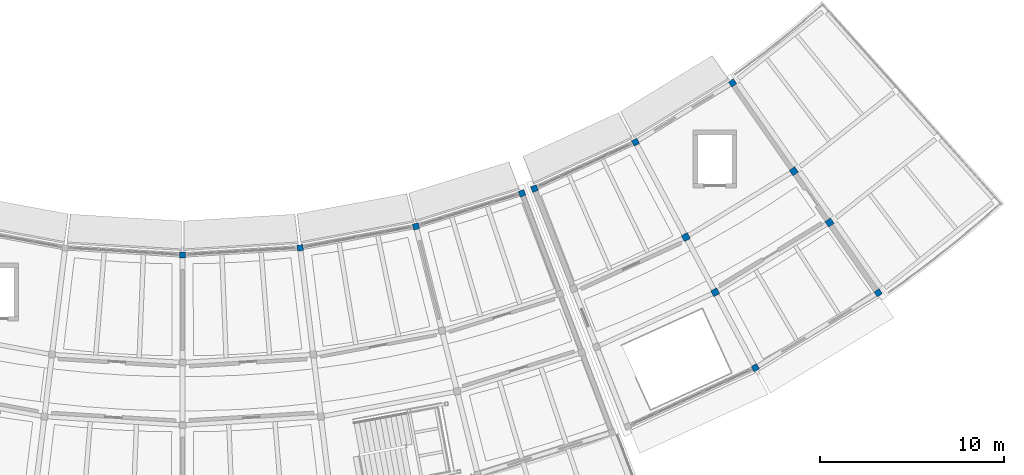
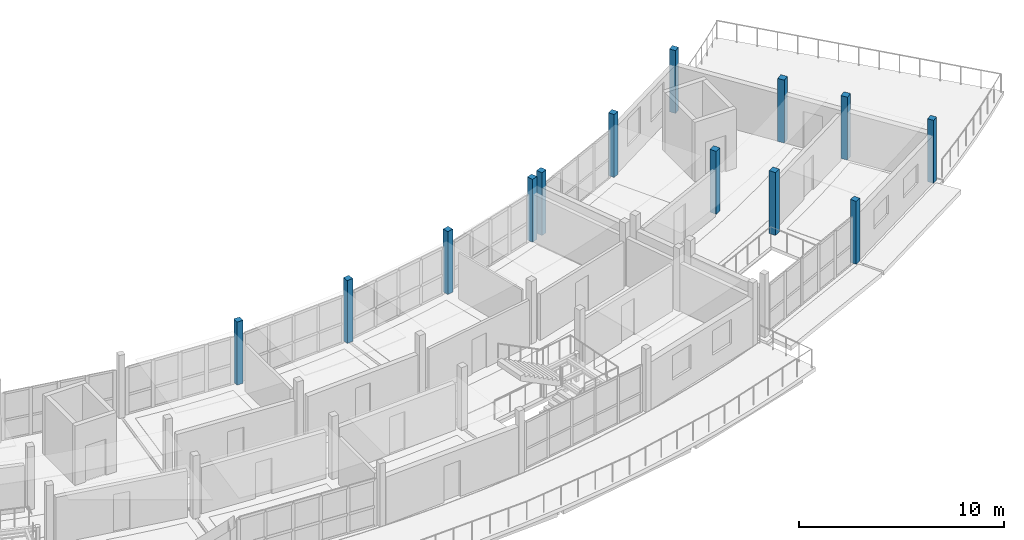
# One storey, part 5 of 24: 13 columns.
"""IFC4 building model written with IfcOpenShell, lengths in metres."""

from ifc_helpers import new_model, si_unit, direction, frame, origin, origin_2d, place, context, subcontext, project, spatial, rectangle, extrude, material, material_profile, profile_set, type_object, element, save


model = new_model("IFC4")

# Units and contexts
model_context = context("Model", 3, precision=1e-05, world=origin(), true_north=direction((0.0, 1.0)))
body_context = subcontext(model_context, "Body", "Model", "MODEL_VIEW")
ifc_project = project(units=[si_unit("LENGTHUNIT", "METRE"), si_unit("AREAUNIT", "SQUARE_METRE"), si_unit("VOLUMEUNIT", "CUBIC_METRE"), si_unit("PLANEANGLEUNIT", "RADIAN"), si_unit("MASSUNIT", "GRAM", prefix="KILO")], contexts=[model_context])

# Site, building, storey
site_placement = place(None, origin())
site = spatial("IfcSite", under=ifc_project, at=site_placement, CompositionType="ELEMENT")
building_placement = place(site_placement, origin())
building = spatial("IfcBuilding", under=site, at=building_placement, Name="Caldaven Crescent School", CompositionType="ELEMENT")
storey_placement = place(building_placement, frame((0.0, 0.0, 15.639892578125)))
storey = spatial("IfcBuildingStorey", under=building, at=storey_placement, Name="L04", CompositionType="ELEMENT", Elevation=15.639892578125)

# Columns
ifc_material = material(Name="Glulam MLE24h (GL28h)", Category="wood")
ifc_material_profile_1 = material_profile(ifc_material, rectangle(XDim=0.330078125, YDim=0.330078125, at=origin_2d()), Name="MLE 330x330")
ifc_profile_set_1 = profile_set([ifc_material_profile_1], Name="Glulam MLE24h (GL28h)")
column_type_1 = type_object("IfcColumnType", Name="COL-GL33", PredefinedType="COLUMN", material=ifc_profile_set_1)
for number, where, z_axis, x_axis, name in (
    (1, (88.0, 43.550048828125, 0.0), (0.0, 0.0, 1.0), (0.0, -1.0, 0.0), "COL-V5-L04-03-0"),
    (2, (94.39208984375, 43.94091796875, 0.0), (0.0, 0.0, 1.0), (0.121869343405, -0.992546151641, 0.0), "COL-V5-L04-04-0"),
    (3, (100.688720703125, 45.10791015625, 0.0), (0.0, 0.0, 1.0), (0.2419218956, -0.970295726276, 0.0), "COL-V5-L04-05-0"),
    (4, (106.458740234375, 46.905517578125, 0.0), (0.0, 0.0, 1.0), (0.352005016254, -0.93599811353, 0.0), "COL-V5-L04-06-0"),
    (5, (107.133056640625, 47.164306640625, 0.0), (0.0, 0.0, 1.0), (0.364714278886, -0.931119484694, 0.0), "COL-V4E-L04-00-0"),
    (6, (112.623779296875, 49.689453125, 0.0), (0.0, 0.0, 1.0), (0.469471562786, -0.882947592859, 0.0), "COL-V4E-L04-01-0"),
    (7, (119.1494140625, 37.41650390625, 0.0), (0.0, 0.0, 1.0), (0.469471562786, -0.882947592859, 0.0), "COL-V4E-L04-01-3"),
    (8, (117.90771484375, 52.91259765625, 0.0), (0.0, 0.0, 1.0), (0.570283536751, -0.821447921484, 0.0), "COL-V4E-L04-02-0"),
    (9, (125.833740234375, 41.49365234375, 0.0), (0.0, 0.0, 1.0), (0.570283536751, -0.821447921484, 0.0), "COL-V4E-L04-02-3"),
):
    element("IfcColumn", number, at=place(storey_placement, frame(where, z_axis=z_axis, x_axis=x_axis)), inside=storey, type_object=column_type_1, Name=name, PredefinedType="COLUMN", context=body_context, shape_type="SweptSolid", body=[
        extrude(rectangle(XDim=0.330078125, YDim=0.330078125, at=origin_2d()), origin(), (0.0, 0.0, 1.0), 3.739990234375),
    ])
ifc_material_profile_2 = material_profile(ifc_material, rectangle(XDim=0.360107421875, YDim=0.360107421875, at=origin_2d()), Name="MLE 360x360")
ifc_profile_set_2 = profile_set([ifc_material_profile_2], Name="Glulam MLE24h (GL28h)")
column_type_2 = type_object("IfcColumnType", Name="COL-GL36", PredefinedType="COLUMN", material=ifc_profile_set_2)
for number, where, z_axis, x_axis, name in (
    (10, (115.3701171875, 44.524169921875, 0.0), (0.0, 0.0, 1.0), (0.469471562786, -0.882947592859, 0.0), "COL-V4E-L04-01-1"),
    (11, (116.96630859375, 41.522216796875, 0.0), (0.0, 0.0, 1.0), (0.469471562786, -0.882947592859, 0.0), "COL-V4E-L04-01-2"),
    (12, (121.243408203125, 48.106689453125, 0.0), (0.0, 0.0, 1.0), (0.570283536751, -0.821447921484, 0.0), "COL-V4E-L04-02-1"),
    (13, (123.18212890625, 45.313720703125, 0.0), (0.0, 0.0, 1.0), (0.570283536751, -0.821447921484, 0.0), "COL-V4E-L04-02-2"),
):
    element("IfcColumn", number, at=place(storey_placement, frame(where, z_axis=z_axis, x_axis=x_axis)), inside=storey, type_object=column_type_2, Name=name, PredefinedType="COLUMN", context=body_context, shape_type="SweptSolid", body=[
        extrude(rectangle(XDim=0.360107421875, YDim=0.360107421875, at=origin_2d()), origin(), (0.0, 0.0, 1.0), 3.739990234375),
    ])

save(model, "model.ifc")
